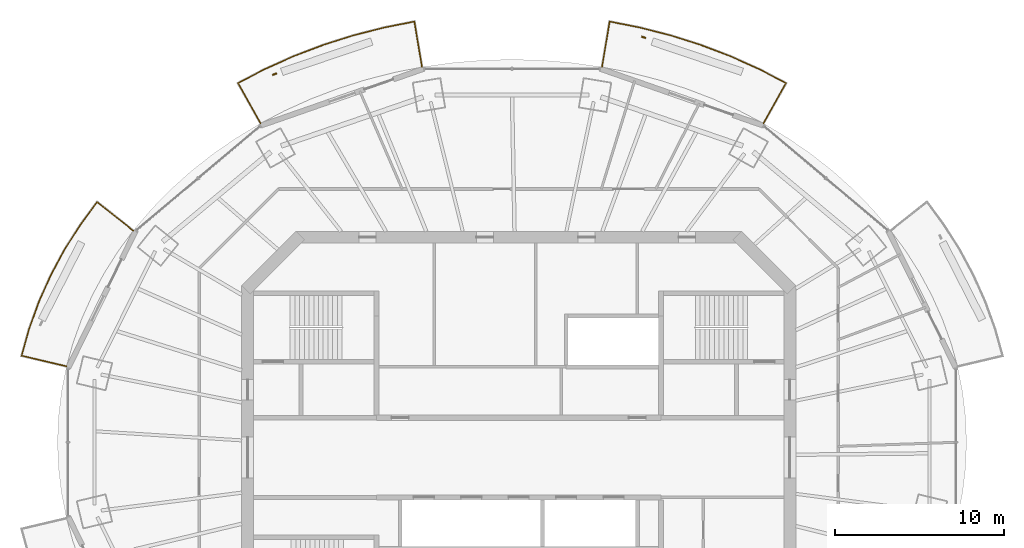
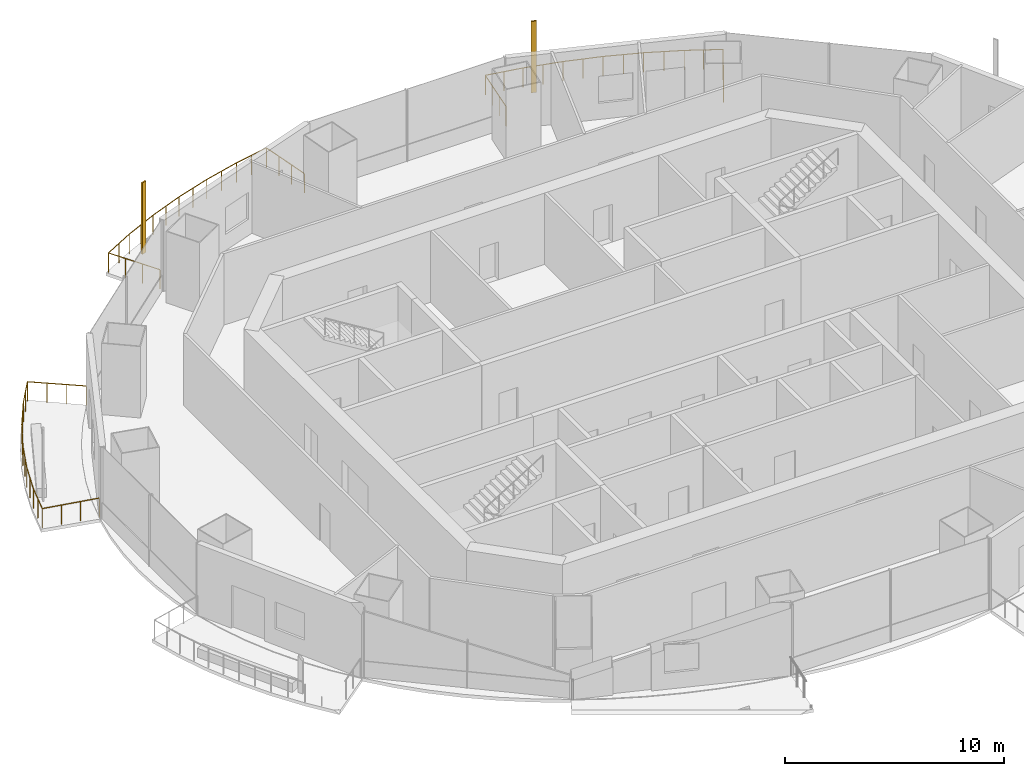
# One storey, part 14 of 16: 3 railings, 2 shading devices.
"""IFC4 building model written with IfcOpenShell, lengths in metres."""

import ifcopenshell
import ifcopenshell.guid

model = None  # the IFC model being written
_history = None  # IfcOwnerHistory: only IFC2X3 demands one
_inside = {}  # id of a spatial element -> (the spatial element, [elements in it])
_under = {}  # id of a project, library or spatial element -> (it, [spatial elements below it])
_declared = {}  # id of a project -> (the project, [libraries it declares])
_typed = {}  # id of a type object -> (the type object, [elements of that type])
_made_of = {}  # id of a material, layer set ... -> (it, [elements and type objects made of it])


def new_model(schema):
    """Start an empty IFC model of exactly this schema.

    Asked for "IFC4X3", IfcOpenShell would pick the latest addendum, in which some entities
    have other attributes; the version numbers below select the first issue.
    IFC2X3 requires an IfcOwnerHistory on every rooted entity: one is made here for all.
    """
    global model, _history
    if schema == "IFC4X3":
        model = ifcopenshell.file(schema_version=(4, 3, 0, 0))
    else:
        model = ifcopenshell.file(schema=schema)
    _inside.clear()
    _under.clear()
    _declared.clear()
    _typed.clear()
    _made_of.clear()
    _history = None
    if model.schema == "IFC2X3":
        org = make("IfcOrganization", Name="unknown")
        user = make(
            "IfcPersonAndOrganization",
            ThePerson=make("IfcPerson", FamilyName="unknown"),
            TheOrganization=org,
        )
        app = make(
            "IfcApplication",
            ApplicationDeveloper=org,
            Version="unknown",
            ApplicationFullName="unknown",
            ApplicationIdentifier="unknown",
        )
        _history = make(
            "IfcOwnerHistory",
            OwningUser=user,
            OwningApplication=app,
            ChangeAction="ADDED",
            CreationDate=0,
        )
    return model


def make(cls, **values):
    """One entity of the class cls with the attributes given. An attribute that is None is left unset."""
    return model.create_entity(
        cls, **{name: value for name, value in values.items() if value is not None}
    )


def rooted(cls, **values):
    """An entity with a GlobalId (a new one), such as an element, a storey or a relation."""
    return make(cls, GlobalId=ifcopenshell.guid.new(), OwnerHistory=_history, **values)


def si_unit(unit_type, name, prefix=None):
    """IfcSIUnit, for example si_unit("LENGTHUNIT", "METRE", prefix="MILLI")."""
    return make("IfcSIUnit", UnitType=unit_type, Prefix=prefix, Name=name)


def assignment(units):
    """IfcUnitAssignment: the units of a project."""
    return None if units is None else make("IfcUnitAssignment", Units=units)


def point(xyz):
    """IfcCartesianPoint."""
    return None if xyz is None else make("IfcCartesianPoint", Coordinates=xyz)


def direction(xyz):
    """IfcDirection."""
    return None if xyz is None else make("IfcDirection", DirectionRatios=xyz)


def frame(location, z_axis=None, x_axis=None):
    """IfcAxis2Placement3D, a coordinate frame: its origin and axes. An axis left out is left unset."""
    return make(
        "IfcAxis2Placement3D",
        Location=point(location),
        Axis=direction(z_axis),
        RefDirection=direction(x_axis),
    )


def frame_2d(location, x_axis=None):
    """IfcAxis2Placement2D, a coordinate frame in the plane: its origin and x axis."""
    return make(
        "IfcAxis2Placement2D", Location=point(location), RefDirection=direction(x_axis)
    )


def origin():
    """The frame at (0, 0, 0) with its axes left unset."""
    return frame((0.0, 0.0, 0.0))


def origin_2d():
    """The frame at (0, 0) in the plane with its x axis left unset."""
    return frame_2d((0.0, 0.0))


def place(relative_to, where):
    """IfcLocalPlacement: puts the frame where relative to a parent placement (None: the world)."""
    return make(
        "IfcLocalPlacement", PlacementRelTo=relative_to, RelativePlacement=where
    )


def context(
    kind, dimensions, precision=None, world=None, true_north=None, identifier=None
):
    """IfcGeometricRepresentationContext, for example the 3D "Model" context."""
    return make(
        "IfcGeometricRepresentationContext",
        ContextIdentifier=identifier,
        ContextType=kind,
        CoordinateSpaceDimension=dimensions,
        Precision=precision,
        WorldCoordinateSystem=world,
        TrueNorth=true_north,
    )


def subcontext(parent, identifier, kind, view, scale=None):
    """IfcGeometricRepresentationSubContext, for example "Body" below "Model"."""
    return make(
        "IfcGeometricRepresentationSubContext",
        ContextIdentifier=identifier,
        ContextType=kind,
        ParentContext=parent,
        TargetScale=scale,
        TargetView=view,
    )


def project(units=None, contexts=None):
    """IfcProject with its units and contexts."""
    return rooted(
        "IfcProject",
        Name="project",
        RepresentationContexts=contexts,
        UnitsInContext=assignment(units),
    )


def spatial(cls, under=None, at=None, **own):
    """A site, building, storey or space (cls), placed at a placement, below another one or the project."""
    s = rooted(cls, ObjectPlacement=at, **own)
    if under is not None:
        _under.setdefault(under.id(), (under, []))[1].append(s)
    return s


def profile(cls, at=None, kind="AREA", **sizes):
    """A parametric profile (cls). Its sizes go by their IFC names, for example OverallWidth=200.0."""
    return make(cls, ProfileType=kind, Position=at, **sizes)


def rectangle(**sizes):
    """IfcRectangleProfileDef."""
    return profile("IfcRectangleProfileDef", **sizes)


def circle(**sizes):
    """IfcCircleProfileDef."""
    return profile("IfcCircleProfileDef", **sizes)


def extrude(swept, where, along, depth):
    """IfcExtrudedAreaSolid: the profile swept, set in the frame where, extruded along a direction by depth."""
    return make(
        "IfcExtrudedAreaSolid",
        SweptArea=swept,
        Position=where,
        ExtrudedDirection=direction(along),
        Depth=depth,
    )


def shape(context_of_items, identifier, shape_type, items):
    """IfcShapeRepresentation: the items that make up one representation, for example the "Body"."""
    return make(
        "IfcShapeRepresentation",
        ContextOfItems=context_of_items,
        RepresentationIdentifier=identifier,
        RepresentationType=shape_type,
        Items=items,
    )


def material(Name=None, Category=None):
    """IfcMaterial."""
    return make("IfcMaterial", Name=Name, Category=Category)


def material_profile(
    of_material, cross_section, Name=None, Category=None, Priority=None
):
    """IfcMaterialProfile: a cross section and its material."""
    return make(
        "IfcMaterialProfile",
        Name=Name,
        Material=of_material,
        Profile=cross_section,
        Priority=Priority,
        Category=Category,
    )


def profile_set(profiles, Name=None, composite=None):
    """IfcMaterialProfileSet."""
    return make(
        "IfcMaterialProfileSet",
        Name=Name,
        MaterialProfiles=profiles,
        CompositeProfile=composite,
    )


def made_of(thing, what):
    """Note that an element or type object is made of a material, layer set ...; save() writes the relation."""
    if what is not None:
        _made_of.setdefault(what.id(), (what, []))[1].append(thing)
    return thing


def type_object(cls, material=None, **own):
    """A type object (cls), such as IfcWallType, which elements share."""
    return made_of(rooted(cls, **own), material)


def element(
    cls,
    number,
    at=None,
    inside=None,
    cuts=None,
    type_object=None,
    material=None,
    context=None,
    identifier="Body",
    shape_type=None,
    held_by="IfcProductDefinitionShape",
    body=None,
    shapes=None,
    **own,
):
    """One element of the class cls, such as IfcWall. Its Tag is "e" and its number.

    at: its placement. inside: the storey or other place that contains it. cuts: it is an
    opening in that element (IfcRelVoidsElement). A single representation is given by context,
    identifier, shape_type and body (its items); several are given by shapes. held_by: the class
    of the entity that holds the representations. save() writes the other relations.
    """
    e = rooted(cls, Tag="e%d" % number, ObjectPlacement=at, **own)
    if body is not None:
        shapes = [shape(context, identifier, shape_type, body)]
    if shapes is not None:
        e.Representation = make(held_by, Representations=shapes)
    if inside is not None:
        _inside.setdefault(inside.id(), (inside, []))[1].append(e)
    if cuts is not None:
        rooted(
            "IfcRelVoidsElement", RelatingBuildingElement=cuts, RelatedOpeningElement=e
        )
    if type_object is not None:
        _typed.setdefault(type_object.id(), (type_object, []))[1].append(e)
    return made_of(e, material)


def aggregate(whole, parts):
    """IfcRelAggregates: a whole, such as a stair, and the parts it consists of."""
    return rooted("IfcRelAggregates", RelatingObject=whole, RelatedObjects=parts)


def save(model, path):
    """Write the relations noted so far, then the file.

    IfcRelAggregates (storeys below a building ...), IfcRelContainedInSpatialStructure (elements
    in a storey), IfcRelDefinesByType, IfcRelAssociatesMaterial and IfcRelDeclares: one each for
    every whole, place, type object, material and project.
    """
    for whole, parts in _under.values():
        aggregate(whole, parts)
    for where, things in _inside.values():
        rooted(
            "IfcRelContainedInSpatialStructure",
            RelatedElements=things,
            RelatingStructure=where,
        )
    for kind, things in _typed.values():
        rooted("IfcRelDefinesByType", RelatedObjects=things, RelatingType=kind)
    for what, things in _made_of.values():
        rooted("IfcRelAssociatesMaterial", RelatedObjects=things, RelatingMaterial=what)
    for by, libraries in _declared.values():
        rooted("IfcRelDeclares", RelatingContext=by, RelatedDefinitions=libraries)
    model.write(path)


model = new_model("IFC4")

# Units and contexts
model_context = context("Model", 3, precision=1e-05, world=origin(), true_north=direction((0.0, 1.0)))
body_context = subcontext(model_context, "Body", "Model", "MODEL_VIEW")
ifc_project = project(units=[si_unit("LENGTHUNIT", "METRE"), si_unit("AREAUNIT", "SQUARE_METRE"), si_unit("VOLUMEUNIT", "CUBIC_METRE"), si_unit("PLANEANGLEUNIT", "RADIAN"), si_unit("MASSUNIT", "GRAM", prefix="KILO")], contexts=[model_context])

# Site, building, storey
site_placement = place(None, origin())
site = spatial("IfcSite", under=ifc_project, at=site_placement, CompositionType="ELEMENT")
building_placement = place(site_placement, origin())
building = spatial("IfcBuilding", under=site, at=building_placement, Name="Marenthal Gate Tower", CompositionType="ELEMENT")
storey_placement = place(building_placement, frame((0.0, 0.0, 355.050048828125)))
storey = spatial("IfcBuildingStorey", under=building, at=storey_placement, Name="L80", CompositionType="ELEMENT", Elevation=355.050048828125)

# Railings
ifc_material_1 = material(Name="Stainless steel", Category="steel")
railing_type = type_object("IfcRailingType", Name="Balcony guard 1100", PredefinedType="GUARDRAIL", material=ifc_material_1)
railing_1_placement = place(storey_placement, frame((4.91259765625, 23.048583984375, 0.0)))
element("IfcRailing", 1, at=railing_1_placement, inside=storey, type_object=railing_type, Name="Balcony guard L80 bay 3", PredefinedType="GUARDRAIL", context=body_context, shape_type="SweptSolid", body=[
    extrude(circle(Radius=0.02392578125, at=origin_2d()), frame((0.0, 0.0, 1.076171875), z_axis=(0.165399817941, 0.986116765891, -0.014718160685), x_axis=(-0.986223591651, 0.165417735658, 0.0)), (0.0, 0.0, 1.0), 2.720458984375),
    extrude(circle(Radius=0.02392578125, at=origin_2d()), frame((0.449951171875, 2.6826171875, 1.0361328125), z_axis=(0.980997608123, -0.194019825938, 0.0), x_axis=(0.194019825938, 0.980997608123, 0.0)), (0.0, 0.0, 1.0), 1.814453125),
    extrude(circle(Radius=0.02392578125, at=origin_2d()), frame((2.22998046875, 2.33056640625, 1.0361328125), z_axis=(0.968882086134, -0.24752273263, 0.0), x_axis=(0.24752273263, 0.968882086134, 0.0)), (0.0, 0.0, 1.0), 1.887939453125),
    extrude(circle(Radius=0.02392578125, at=origin_2d()), frame((4.05908203125, 1.86328125, 1.0361328125), z_axis=(0.953244331297, -0.302200669837, 0.0), x_axis=(0.302200669837, 0.953244331297, 0.0)), (0.0, 0.0, 1.0), 1.879150390625),
    extrude(circle(Radius=0.02392578125, at=origin_2d()), frame((5.850341796875, 1.29541015625, 1.0361328125), z_axis=(0.934241329818, -0.35664146935, 0.0), x_axis=(0.35664146935, 0.934241329818, 0.0)), (0.0, 0.0, 1.0), 1.86962890625),
    extrude(circle(Radius=0.02392578125, at=origin_2d()), frame((7.596923828125, 0.628662109375, 1.0361328125), z_axis=(0.911823143893, -0.410583187992, 0.0), x_axis=(0.410583187992, 0.911823143893, 0.0)), (0.0, 0.0, 1.0), 1.858154296875),
    extrude(circle(Radius=0.02392578125, at=origin_2d()), frame((9.291259765625, -0.13427734375, 1.0361328125), z_axis=(0.886466510694, -0.462792745642, 0.0), x_axis=(0.462792745642, 0.886466510694, 0.0)), (0.0, 0.0, 1.0), 1.76611328125),
    extrude(circle(Radius=0.02392578125, at=origin_2d()), frame((10.85693359375, -0.95166015625, 1.0361328125), z_axis=(-0.490740668141, -0.871181358019, 0.014718630134), x_axis=(0.871275738879, -0.490793833336, 0.0)), (0.0, 0.0, 1.0), 2.72021484375),
    extrude(circle(Radius=0.02099609375, at=origin_2d()), origin(), (0.0, 0.0, 1.0), 1.052001953125),
    extrude(circle(Radius=0.02099609375, at=origin_2d()), frame((0.14990234375, 0.894287109375, -0.013427734375)), (0.0, 0.0, 1.0), 1.052001953125),
    extrude(circle(Radius=0.02099609375, at=origin_2d()), frame((0.300048828125, 1.788330078125, -0.026611328125)), (0.0, 0.0, 1.0), 1.052001953125),
    extrude(circle(Radius=0.02099609375, at=origin_2d()), frame((0.449951171875, 2.6826171875, -0.0400390625)), (0.0, 0.0, 1.0), 1.052001953125),
    extrude(circle(Radius=0.02099609375, at=origin_2d()), frame((1.33984375, 2.506591796875, -0.0400390625)), (0.0, 0.0, 1.0), 1.052001953125),
    extrude(circle(Radius=0.02099609375, at=origin_2d()), frame((2.22998046875, 2.33056640625, -0.0400390625)), (0.0, 0.0, 1.0), 1.052001953125),
    extrude(circle(Radius=0.02099609375, at=origin_2d()), frame((3.14453125, 2.096923828125, -0.0400390625)), (0.0, 0.0, 1.0), 1.052001953125),
    extrude(circle(Radius=0.02099609375, at=origin_2d()), frame((4.05908203125, 1.86328125, -0.0400390625)), (0.0, 0.0, 1.0), 1.052001953125),
    extrude(circle(Radius=0.02099609375, at=origin_2d()), frame((4.95458984375, 1.579345703125, -0.0400390625)), (0.0, 0.0, 1.0), 1.052001953125),
    extrude(circle(Radius=0.02099609375, at=origin_2d()), frame((5.850341796875, 1.29541015625, -0.0400390625)), (0.0, 0.0, 1.0), 1.052001953125),
    extrude(circle(Radius=0.02099609375, at=origin_2d()), frame((6.7236328125, 0.9619140625, -0.0400390625)), (0.0, 0.0, 1.0), 1.052001953125),
    extrude(circle(Radius=0.02099609375, at=origin_2d()), frame((7.596923828125, 0.628662109375, -0.0400390625)), (0.0, 0.0, 1.0), 1.052001953125),
    extrude(circle(Radius=0.02099609375, at=origin_2d()), frame((8.444091796875, 0.2470703125, -0.0400390625)), (0.0, 0.0, 1.0), 1.052001953125),
    extrude(circle(Radius=0.02099609375, at=origin_2d()), frame((9.291259765625, -0.13427734375, -0.0400390625)), (0.0, 0.0, 1.0), 1.052001953125),
    extrude(circle(Radius=0.02099609375, at=origin_2d()), frame((10.07421875, -0.54296875, -0.0400390625)), (0.0, 0.0, 1.0), 1.052001953125),
    extrude(circle(Radius=0.02099609375, at=origin_2d()), frame((10.85693359375, -0.95166015625, -0.0400390625)), (0.0, 0.0, 1.0), 1.052001953125),
    extrude(circle(Radius=0.02099609375, at=origin_2d()), frame((10.411865234375, -1.74169921875, -0.026611328125)), (0.0, 0.0, 1.0), 1.052001953125),
    extrude(circle(Radius=0.02099609375, at=origin_2d()), frame((9.967041015625, -2.531494140625, -0.013427734375)), (0.0, 0.0, 1.0), 1.052001953125),
    extrude(circle(Radius=0.02099609375, at=origin_2d()), frame((9.52197265625, -3.321533203125, 0.0)), (0.0, 0.0, 1.0), 1.052001953125),
])
railing_2_placement = place(storey_placement, frame((-15.234619140625, 19.72705078125, 0.0)))
element("IfcRailing", 2, at=railing_2_placement, inside=storey, type_object=railing_type, Name="Balcony guard L80 bay 5", PredefinedType="GUARDRAIL", context=body_context, shape_type="SweptSolid", body=[
    extrude(circle(Radius=0.02392578125, at=origin_2d()), frame((0.0, 0.0, 1.076171875), z_axis=(-0.490740668141, 0.871181358019, -0.014718630134), x_axis=(-0.871275738879, -0.490793833336, 0.0)), (0.0, 0.0, 1.0), 2.72021484375),
    extrude(circle(Radius=0.02392578125, at=origin_2d()), frame((-1.3349609375, 2.369873046875, 1.0361328125), z_axis=(0.886466510694, 0.462792745642, 0.0), x_axis=(-0.462792745642, 0.886466510694, 0.0)), (0.0, 0.0, 1.0), 1.76611328125),
    extrude(circle(Radius=0.02392578125, at=origin_2d()), frame((0.230712890625, 3.187255859375, 1.0361328125), z_axis=(0.911823143893, 0.410583187992, 0.0), x_axis=(-0.410583187992, 0.911823143893, 0.0)), (0.0, 0.0, 1.0), 1.858154296875),
    extrude(circle(Radius=0.02392578125, at=origin_2d()), frame((1.925048828125, 3.9501953125, 1.0361328125), z_axis=(0.934241329818, 0.35664146935, 0.0), x_axis=(-0.35664146935, 0.934241329818, 0.0)), (0.0, 0.0, 1.0), 1.86962890625),
    extrude(circle(Radius=0.02392578125, at=origin_2d()), frame((3.671630859375, 4.616943359375, 1.0361328125), z_axis=(0.953244331297, 0.302200669837, 0.0), x_axis=(-0.302200669837, 0.953244331297, 0.0)), (0.0, 0.0, 1.0), 1.879150390625),
    extrude(circle(Radius=0.02392578125, at=origin_2d()), frame((5.462890625, 5.184814453125, 1.0361328125), z_axis=(0.968882086134, 0.24752273263, 0.0), x_axis=(-0.24752273263, 0.968882086134, 0.0)), (0.0, 0.0, 1.0), 1.887939453125),
    extrude(circle(Radius=0.02392578125, at=origin_2d()), frame((7.2919921875, 5.652099609375, 1.0361328125), z_axis=(0.981002672046, 0.193994220117, 0.0), x_axis=(-0.193994220117, 0.981002672046, 0.0)), (0.0, 0.0, 1.0), 1.814697265625),
    extrude(circle(Radius=0.02392578125, at=origin_2d()), frame((9.072265625, 6.004150390625, 1.0361328125), z_axis=(0.165312526275, -0.986131399953, 0.014718379104), x_axis=(0.98623823047, 0.165330435068, 0.0)), (0.0, 0.0, 1.0), 2.720458984375),
    extrude(circle(Radius=0.02099609375, at=origin_2d()), origin(), (0.0, 0.0, 1.0), 1.052001953125),
    extrude(circle(Radius=0.02099609375, at=origin_2d()), frame((-0.445068359375, 0.7900390625, -0.013427734375)), (0.0, 0.0, 1.0), 1.052001953125),
    extrude(circle(Radius=0.02099609375, at=origin_2d()), frame((-0.889892578125, 1.579833984375, -0.026611328125)), (0.0, 0.0, 1.0), 1.052001953125),
    extrude(circle(Radius=0.02099609375, at=origin_2d()), frame((-1.3349609375, 2.369873046875, -0.0400390625)), (0.0, 0.0, 1.0), 1.052001953125),
    extrude(circle(Radius=0.02099609375, at=origin_2d()), frame((-0.55224609375, 2.778564453125, -0.0400390625)), (0.0, 0.0, 1.0), 1.052001953125),
    extrude(circle(Radius=0.02099609375, at=origin_2d()), frame((0.230712890625, 3.187255859375, -0.0400390625)), (0.0, 0.0, 1.0), 1.052001953125),
    extrude(circle(Radius=0.02099609375, at=origin_2d()), frame((1.077880859375, 3.56884765625, -0.0400390625)), (0.0, 0.0, 1.0), 1.052001953125),
    extrude(circle(Radius=0.02099609375, at=origin_2d()), frame((1.925048828125, 3.9501953125, -0.0400390625)), (0.0, 0.0, 1.0), 1.052001953125),
    extrude(circle(Radius=0.02099609375, at=origin_2d()), frame((2.79833984375, 4.28369140625, -0.0400390625)), (0.0, 0.0, 1.0), 1.052001953125),
    extrude(circle(Radius=0.02099609375, at=origin_2d()), frame((3.671630859375, 4.616943359375, -0.0400390625)), (0.0, 0.0, 1.0), 1.052001953125),
    extrude(circle(Radius=0.02099609375, at=origin_2d()), frame((4.5673828125, 4.90087890625, -0.0400390625)), (0.0, 0.0, 1.0), 1.052001953125),
    extrude(circle(Radius=0.02099609375, at=origin_2d()), frame((5.462890625, 5.184814453125, -0.0400390625)), (0.0, 0.0, 1.0), 1.052001953125),
    extrude(circle(Radius=0.02099609375, at=origin_2d()), frame((6.37744140625, 5.41845703125, -0.0400390625)), (0.0, 0.0, 1.0), 1.052001953125),
    extrude(circle(Radius=0.02099609375, at=origin_2d()), frame((7.2919921875, 5.652099609375, -0.0400390625)), (0.0, 0.0, 1.0), 1.052001953125),
    extrude(circle(Radius=0.02099609375, at=origin_2d()), frame((8.18212890625, 5.828125, -0.0400390625)), (0.0, 0.0, 1.0), 1.052001953125),
    extrude(circle(Radius=0.02099609375, at=origin_2d()), frame((9.072265625, 6.004150390625, -0.0400390625)), (0.0, 0.0, 1.0), 1.052001953125),
    extrude(circle(Radius=0.02099609375, at=origin_2d()), frame((9.22216796875, 5.10986328125, -0.026611328125)), (0.0, 0.0, 1.0), 1.052001953125),
    extrude(circle(Radius=0.02099609375, at=origin_2d()), frame((9.3720703125, 4.2158203125, -0.013427734375)), (0.0, 0.0, 1.0), 1.052001953125),
    extrude(circle(Radius=0.02099609375, at=origin_2d()), frame((9.52197265625, 3.321533203125, 0.0)), (0.0, 0.0, 1.0), 1.052001953125),
])
railing_3_placement = place(storey_placement, frame((-26.693115234375, 5.38623046875, 0.0)))
element("IfcRailing", 3, at=railing_3_placement, inside=storey, type_object=railing_type, Name="Balcony guard L80 bay 7", PredefinedType="GUARDRAIL", context=body_context, shape_type="SweptSolid", body=[
    extrude(circle(Radius=0.02392578125, at=origin_2d()), frame((0.0, 0.0, 1.076171875), z_axis=(-0.973182110168, 0.229564721303, -0.014717988387), x_axis=(-0.229589589404, -0.973287532252, 0.0)), (0.0, 0.0, 1.0), 2.720458984375),
    extrude(circle(Radius=0.02392578125, at=origin_2d()), frame((-2.6474609375, 0.62451171875, 1.0361328125), z_axis=(0.268568220157, 0.963260666238, 0.0), x_axis=(-0.963260666238, 0.268568220157, 0.0)), (0.0, 0.0, 1.0), 1.620849609375),
    extrude(circle(Radius=0.02392578125, at=origin_2d()), frame((-2.212158203125, 2.185791015625, 1.0361328125), z_axis=(0.338906739097, 0.940819973318, 0.0), x_axis=(-0.940819973318, 0.338906739097, 0.0)), (0.0, 0.0, 1.0), 1.7080078125),
    extrude(circle(Radius=0.02392578125, at=origin_2d()), frame((-1.63330078125, 3.792724609375, 1.0361328125), z_axis=(0.407879524978, 0.91303575675, 0.0), x_axis=(-0.91303575675, 0.407879524978, 0.0)), (0.0, 0.0, 1.0), 1.716552734375),
    extrude(circle(Radius=0.02392578125, at=origin_2d()), frame((-0.93310546875, 5.360107421875, 1.0361328125), z_axis=(0.473652895145, 0.880711607123, 0.0), x_axis=(-0.880711607123, 0.473652895145, 0.0)), (0.0, 0.0, 1.0), 1.726806640625),
    extrude(circle(Radius=0.02392578125, at=origin_2d()), frame((-0.115234375, 6.880859375, 1.0361328125), z_axis=(0.535757035565, 0.84437219213, 0.0), x_axis=(-0.84437219213, 0.535757035565, 0.0)), (0.0, 0.0, 1.0), 1.738037109375),
    extrude(circle(Radius=0.02392578125, at=origin_2d()), frame((0.81591796875, 8.348388671875, 1.0361328125), z_axis=(0.592585720086, 0.80550739559, 0.0), x_axis=(-0.80550739559, 0.592585720086, 0.0)), (0.0, 0.0, 1.0), 1.670654296875),
    extrude(circle(Radius=0.02392578125, at=origin_2d()), frame((1.805908203125, 9.694091796875, 1.0361328125), z_axis=(0.78365684055, -0.621019548707, 0.014719931491), x_axis=(0.621086839778, 0.783741754314, 0.0)), (0.0, 0.0, 1.0), 2.719970703125),
    extrude(circle(Radius=0.02099609375, at=origin_2d()), origin(), (0.0, 0.0, 1.0), 1.052001953125),
    extrude(circle(Radius=0.02099609375, at=origin_2d()), frame((-0.882568359375, 0.208251953125, -0.013427734375)), (0.0, 0.0, 1.0), 1.052001953125),
    extrude(circle(Radius=0.02099609375, at=origin_2d()), frame((-1.764892578125, 0.416259765625, -0.026611328125)), (0.0, 0.0, 1.0), 1.052001953125),
    extrude(circle(Radius=0.02099609375, at=origin_2d()), frame((-2.6474609375, 0.62451171875, -0.0400390625)), (0.0, 0.0, 1.0), 1.052001953125),
    extrude(circle(Radius=0.02099609375, at=origin_2d()), frame((-2.4296875, 1.4052734375, -0.0400390625)), (0.0, 0.0, 1.0), 1.052001953125),
    extrude(circle(Radius=0.02099609375, at=origin_2d()), frame((-2.212158203125, 2.185791015625, -0.0400390625)), (0.0, 0.0, 1.0), 1.052001953125),
    extrude(circle(Radius=0.02099609375, at=origin_2d()), frame((-1.9228515625, 2.9892578125, -0.0400390625)), (0.0, 0.0, 1.0), 1.052001953125),
    extrude(circle(Radius=0.02099609375, at=origin_2d()), frame((-1.63330078125, 3.792724609375, -0.0400390625)), (0.0, 0.0, 1.0), 1.052001953125),
    extrude(circle(Radius=0.02099609375, at=origin_2d()), frame((-1.283203125, 4.576416015625, -0.0400390625)), (0.0, 0.0, 1.0), 1.052001953125),
    extrude(circle(Radius=0.02099609375, at=origin_2d()), frame((-0.93310546875, 5.360107421875, -0.0400390625)), (0.0, 0.0, 1.0), 1.052001953125),
    extrude(circle(Radius=0.02099609375, at=origin_2d()), frame((-0.524169921875, 6.12060546875, -0.0400390625)), (0.0, 0.0, 1.0), 1.052001953125),
    extrude(circle(Radius=0.02099609375, at=origin_2d()), frame((-0.115234375, 6.880859375, -0.0400390625)), (0.0, 0.0, 1.0), 1.052001953125),
    extrude(circle(Radius=0.02099609375, at=origin_2d()), frame((0.350341796875, 7.61474609375, -0.0400390625)), (0.0, 0.0, 1.0), 1.052001953125),
    extrude(circle(Radius=0.02099609375, at=origin_2d()), frame((0.81591796875, 8.348388671875, -0.0400390625)), (0.0, 0.0, 1.0), 1.052001953125),
    extrude(circle(Radius=0.02099609375, at=origin_2d()), frame((1.31103515625, 9.021240234375, -0.0400390625)), (0.0, 0.0, 1.0), 1.052001953125),
    extrude(circle(Radius=0.02099609375, at=origin_2d()), frame((1.805908203125, 9.694091796875, -0.0400390625)), (0.0, 0.0, 1.0), 1.052001953125),
    extrude(circle(Radius=0.02099609375, at=origin_2d()), frame((2.516357421875, 9.131103515625, -0.026611328125)), (0.0, 0.0, 1.0), 1.052001953125),
    extrude(circle(Radius=0.02099609375, at=origin_2d()), frame((3.22705078125, 8.56787109375, -0.013427734375)), (0.0, 0.0, 1.0), 1.052001953125),
    extrude(circle(Radius=0.02099609375, at=origin_2d()), frame((3.9375, 8.0048828125, 0.0)), (0.0, 0.0, 1.0), 1.052001953125),
])

# Shading devices
ifc_material_2 = material(Name="Terracotta", Category="masonry")
ifc_material_profile = material_profile(ifc_material_2, rectangle(XDim=0.25, YDim=0.080078125, at=origin_2d()), Name="Terracotta baguette 250x80")
ifc_profile_set = profile_set([ifc_material_profile], Name="Terracotta")
shading_device_type = type_object("IfcShadingDeviceType", Name="Terracotta BAGUETTE SCREEN 250x80", PredefinedType="USERDEFINED", material=ifc_profile_set)
for number, where, z_axis, x_axis, name in (
    (4, (7.371826171875, 24.802978515625, -0.0400390625), (0.0, 0.0, 1.0), (-0.944152186109, 0.32950971073, 0.0), "Terracotta BAGUETTE L80 bay 3R"),
    (5, (-14.41064453125, 22.62548828125, -0.0400390625), (0.0, 0.0, 1.0), (-0.944152186109, -0.32950971073, 0.0), "Terracotta BAGUETTE L80 bay 5R"),
):
    element("IfcShadingDevice", number, at=place(storey_placement, frame(where, z_axis=z_axis, x_axis=x_axis)), inside=storey, type_object=shading_device_type, Name=name, ObjectType="BAGUETTE SCREEN", PredefinedType="USERDEFINED", context=body_context, shape_type="SweptSolid", body=[
        extrude(rectangle(XDim=0.25, YDim=0.080078125, at=origin_2d()), origin(), (0.0, 0.0, 1.0), 3.969970703125),
    ])

save(model, "model.ifc")
